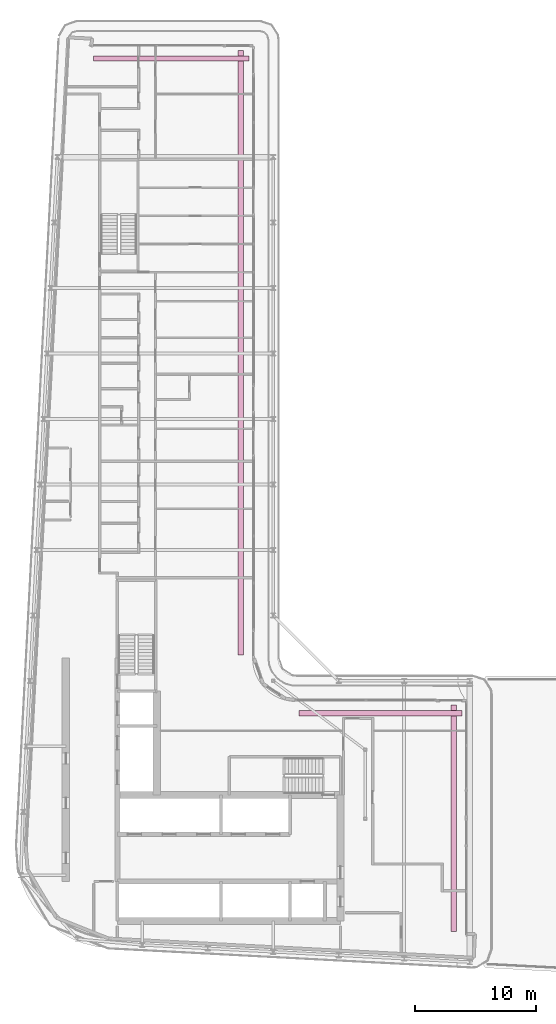
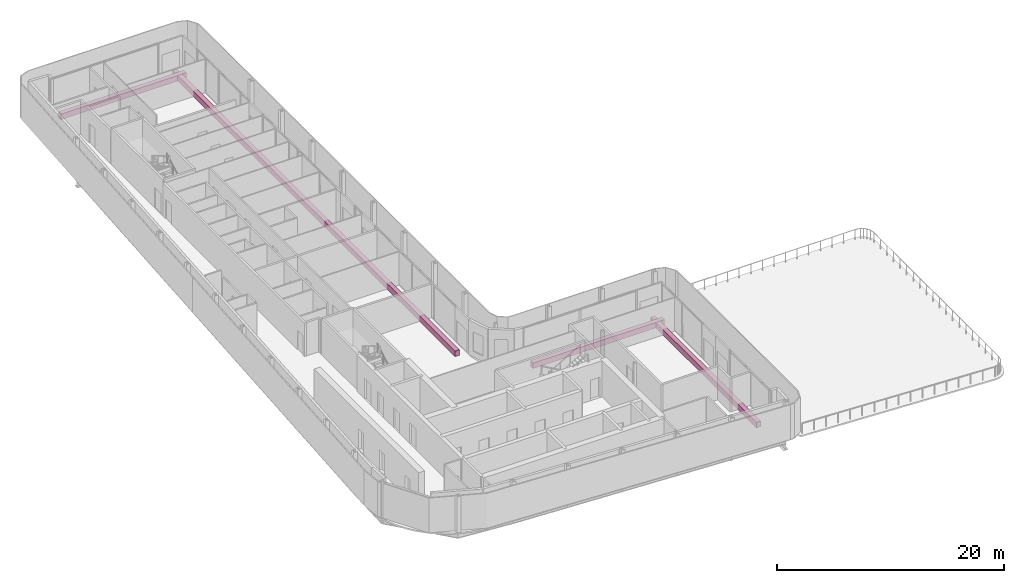
# One storey, part 22 of 22: 4 furniture elements.
"""IFC4 building model written with IfcOpenShell, lengths in metres."""

from ifc_helpers import new_model, si_unit, direction, frame, origin, origin_2d, place, context, subcontext, project, spatial, rectangle, extrude, material, type_object, element, save


model = new_model("IFC4")

# Units and contexts
model_context = context("Model", 3, precision=1e-05, world=origin(), true_north=direction((0.0, 1.0)))
body_context = subcontext(model_context, "Body", "Model", "MODEL_VIEW")
ifc_project = project(units=[si_unit("LENGTHUNIT", "METRE"), si_unit("AREAUNIT", "SQUARE_METRE"), si_unit("VOLUMEUNIT", "CUBIC_METRE"), si_unit("PLANEANGLEUNIT", "RADIAN"), si_unit("MASSUNIT", "GRAM", prefix="KILO")], contexts=[model_context])

# Site, building, storey
site_placement = place(None, origin())
site = spatial("IfcSite", under=ifc_project, at=site_placement, CompositionType="ELEMENT")
building_placement = place(site_placement, origin())
building = spatial("IfcBuilding", under=site, at=building_placement, Name="Kheshtan School and Residences Tower", CompositionType="ELEMENT")
storey_placement = place(building_placement, frame((0.0, 0.0, 274.699951171875)))
storey = spatial("IfcBuildingStorey", under=building, at=storey_placement, Name="L64", CompositionType="ELEMENT", Elevation=274.699951171875)

# Furniture
ifc_material = material(Name="Precast concrete C30/37 in terracotta finish", Category="masonry")
furniture_type = type_object("IfcFurnitureType", Name="Planter trough", AssemblyPlace="NOTDEFINED", PredefinedType="USERDEFINED", material=ifc_material)
furniture_1_placement = place(storey_placement, frame((39.196044921875, 96.925048828125, 0.0), z_axis=(0.0, 0.0, 1.0), x_axis=(1.0, 0.0, 0.0)))
element("IfcFurniture", 1, at=furniture_1_placement, inside=storey, type_object=furniture_type, Name="Planter L64", ObjectType="PLANTER", PredefinedType="USERDEFINED", context=body_context, shape_type="SweptSolid", body=[
    extrude(rectangle(XDim=12.80810546875, YDim=0.449951171875, at=origin_2d()), origin(), (0.0, 0.0, 1.0), 0.60009765625),
])
furniture_2_placement = place(storey_placement, frame((44.925048828125, 72.6650390625, 0.0), z_axis=(0.0, 0.0, 1.0), x_axis=(0.0, -1.0, 0.0)))
element("IfcFurniture", 2, at=furniture_2_placement, inside=storey, type_object=furniture_type, Name="Planter L64", ObjectType="PLANTER", PredefinedType="USERDEFINED", context=body_context, shape_type="SweptSolid", body=[
    extrude(rectangle(XDim=49.8701171875, YDim=0.449951171875, at=origin_2d()), origin(), (0.0, 0.0, 1.0), 0.60009765625),
])
furniture_3_placement = place(storey_placement, frame((56.43994140625, 42.925048828125, 0.0), z_axis=(0.0, 0.0, 1.0), x_axis=(1.0, 0.0, 0.0)))
element("IfcFurniture", 3, at=furniture_3_placement, inside=storey, type_object=furniture_type, Name="Planter L64", ObjectType="PLANTER", PredefinedType="USERDEFINED", context=body_context, shape_type="SweptSolid", body=[
    extrude(rectangle(XDim=13.419921875, YDim=0.449951171875, at=origin_2d()), origin(), (0.0, 0.0, 1.0), 0.60009765625),
])
furniture_4_placement = place(storey_placement, frame((62.47509765625, 34.26708984375, 0.0), z_axis=(0.0, 0.0, 1.0), x_axis=(0.0, -1.0, 0.0)))
element("IfcFurniture", 4, at=furniture_4_placement, inside=storey, type_object=furniture_type, Name="Planter L64", ObjectType="PLANTER", PredefinedType="USERDEFINED", context=body_context, shape_type="SweptSolid", body=[
    extrude(rectangle(XDim=18.6669921875, YDim=0.449951171875, at=origin_2d()), origin(), (0.0, 0.0, 1.0), 0.60009765625),
])

save(model, "model.ifc")
